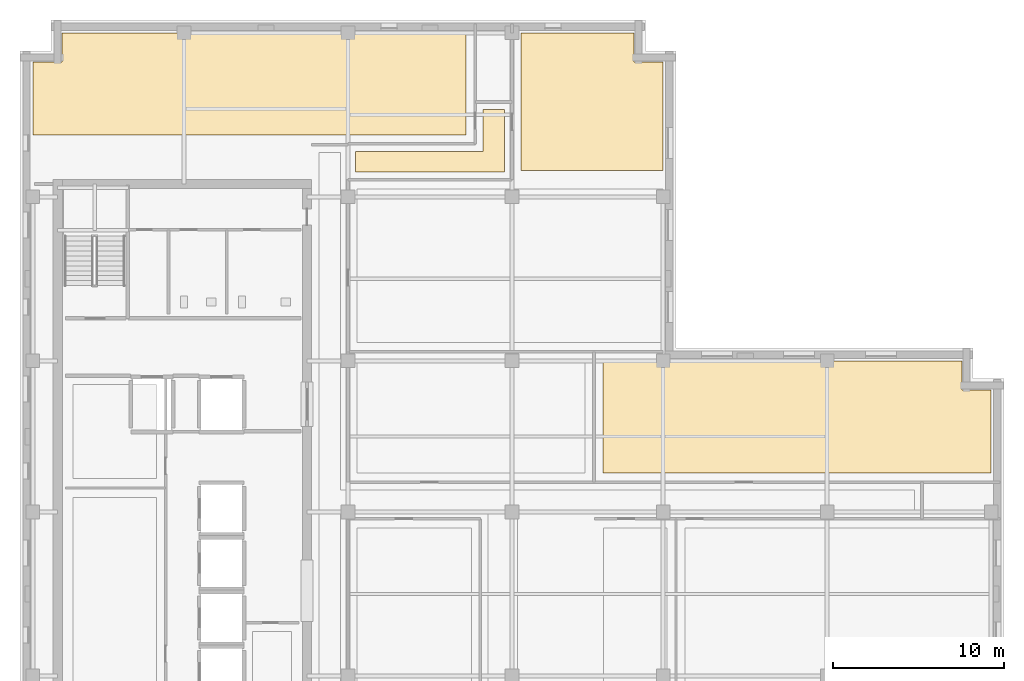
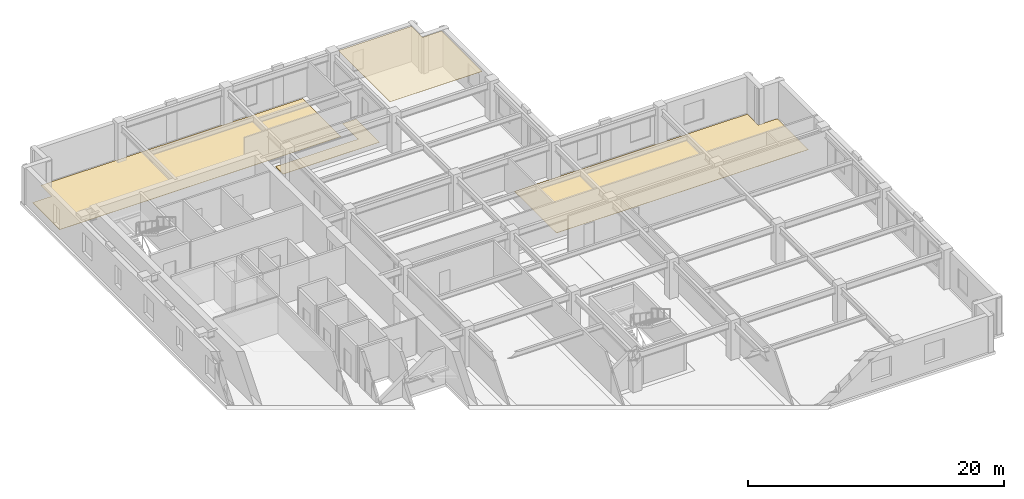
# One storey, part 10 of 11: 4 coverings.
"""IFC4 building model written with IfcOpenShell, lengths in metres."""

from ifc_helpers import new_model, si_unit, direction, frame, origin, place, context, subcontext, project, spatial, polyline, outline, extrude, material, layer, layer_set, type_object, element, save


model = new_model("IFC4")

# Units and contexts
model_context = context("Model", 3, precision=1e-05, world=origin(), true_north=direction((0.0, 1.0)))
body_context = subcontext(model_context, "Body", "Model", "MODEL_VIEW")
ifc_project = project(units=[si_unit("LENGTHUNIT", "METRE"), si_unit("AREAUNIT", "SQUARE_METRE"), si_unit("VOLUMEUNIT", "CUBIC_METRE"), si_unit("PLANEANGLEUNIT", "RADIAN"), si_unit("MASSUNIT", "GRAM", prefix="KILO")], contexts=[model_context])

# Site, building, storey
site_placement = place(None, origin())
site = spatial("IfcSite", under=ifc_project, at=site_placement, CompositionType="ELEMENT")
building_placement = place(site_placement, origin())
building = spatial("IfcBuilding", under=site, at=building_placement, Name="Norrvale University Quadrangle", CompositionType="ELEMENT")
storey_placement = place(building_placement, frame((0.0, 0.0, 252.199951171875)))
storey = spatial("IfcBuildingStorey", under=building, at=storey_placement, Name="L64", CompositionType="ELEMENT", Elevation=252.199951171875)

# Coverings
ifc_material_1 = material(Name="Perforated Acoustic Mineral Ceiling")
ifc_layer_1 = layer(ifc_material_1, 0.02490234375, Name="Perforated Acoustic Mineral Ceiling")
ifc_layer_set_1 = layer_set([ifc_layer_1], Name="Perforated Acoustic Mineral Ceiling")
covering_type_1 = type_object("IfcCoveringType", Name="Covering Acoustic Ceiling 25", PredefinedType="CEILING", material=ifc_layer_set_1)
covering_1_placement = place(storey_placement, frame((0.0, 0.0, 3.455078125)))
element("IfcCovering", 1, at=covering_1_placement, inside=storey, type_object=covering_type_1, Name="Acoustic Ceiling RM-L64-NE01", PredefinedType="CEILING", context=body_context, shape_type="SweptSolid", body=[
    extrude(outline(polyline([(37.64990234375, 48.780029296875), (29.330078125, 48.780029296875), (29.330078125, 56.85009765625), (35.929931640625, 56.85009765625), (35.929931640625, 55.1298828125), (37.64990234375, 55.1298828125), (37.64990234375, 48.780029296875)])), origin(), (0.0, 0.0, 1.0), 0.02490234375),
])
ifc_material_2 = material(Name="Polished Terrazzo Flooring")
ifc_layer_2 = layer(ifc_material_2, 0.02490234375, Name="Polished Terrazzo Flooring")
ifc_layer_set_2 = layer_set([ifc_layer_2], Name="Polished Terrazzo Flooring")
covering_type_2 = type_object("IfcCoveringType", Name="Covering Terrazzo Floor 30", PredefinedType="FLOORING", material=ifc_layer_set_2)
covering_2_placement = place(storey_placement, origin())
element("IfcCovering", 2, at=covering_2_placement, inside=storey, type_object=covering_type_2, Name="Terrazzo Flooring RM-L64-ME02", PredefinedType="FLOORING", context=body_context, shape_type="SweptSolid", body=[
    extrude(outline(polyline([(56.85009765625, 31.080078125), (34.1298828125, 31.080078125), (34.1298828125, 37.64990234375), (55.1298828125, 37.64990234375), (55.1298828125, 35.929931640625), (56.85009765625, 35.929931640625), (56.85009765625, 31.080078125)])), origin(), (0.0, 0.0, 1.0), 0.025146484375),
])
covering_3_placement = place(storey_placement, origin())
element("IfcCovering", 3, at=covering_3_placement, inside=storey, type_object=covering_type_2, Name="Terrazzo Flooring RM-L64-NCJOG", PredefinedType="FLOORING", context=body_context, shape_type="SweptSolid", body=[
    extrude(outline(polyline([(19.64990234375, 48.699951171875), (19.64990234375, 49.89990234375), (27.10009765625, 49.89990234375), (27.10009765625, 52.35009765625), (28.35009765625, 52.35009765625), (28.35009765625, 48.699951171875), (19.64990234375, 48.699951171875)])), origin(), (0.0, 0.0, 1.0), 0.025146484375),
])
covering_4_placement = place(storey_placement, origin())
element("IfcCovering", 4, at=covering_4_placement, inside=storey, type_object=covering_type_2, Name="Terrazzo Flooring RM-L64-NW01", PredefinedType="FLOORING", context=body_context, shape_type="SweptSolid", body=[
    extrude(outline(polyline([(26.1201171875, 56.85009765625), (26.1201171875, 50.8798828125), (0.75, 50.8798828125), (0.75, 55.1298828125), (2.469970703125, 55.1298828125), (2.469970703125, 56.85009765625), (26.1201171875, 56.85009765625)])), origin(), (0.0, 0.0, 1.0), 0.025146484375),
])

save(model, "model.ifc")
